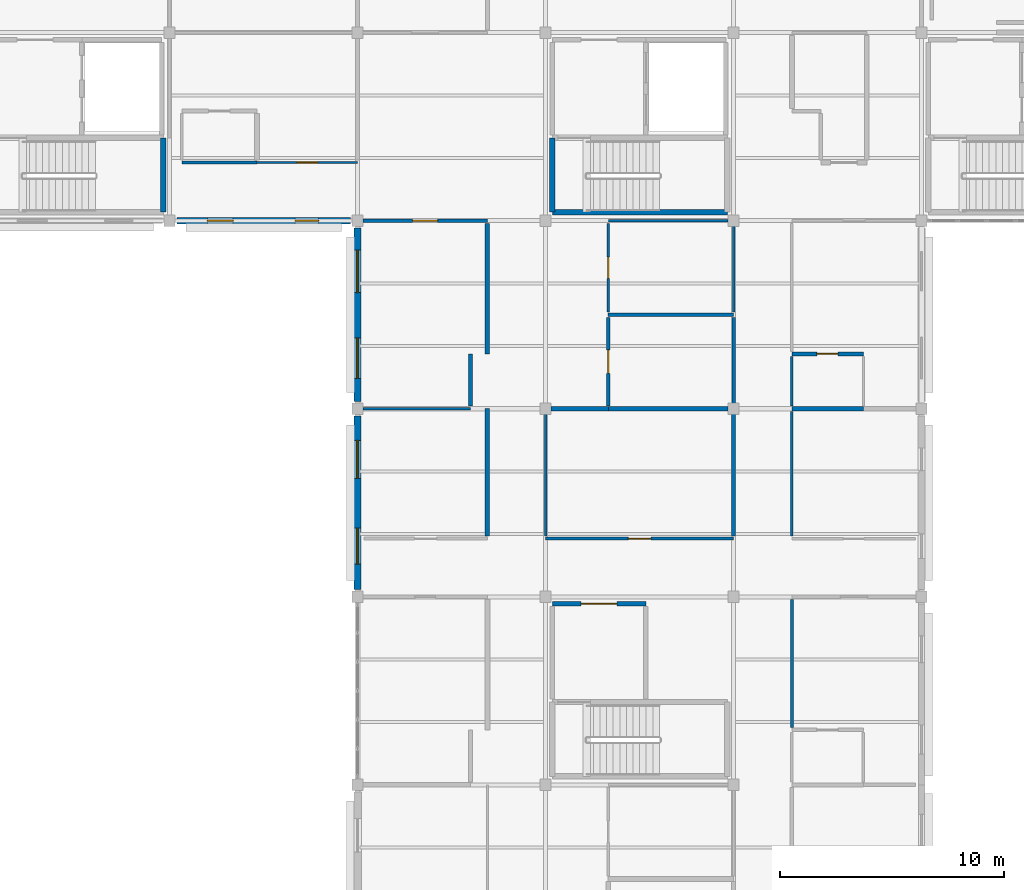
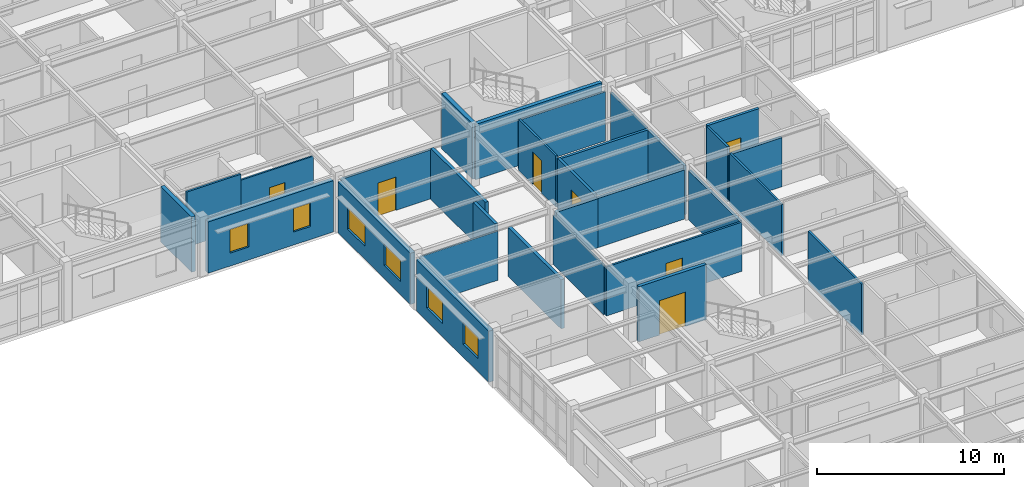
# One storey, part 39 of 53: 30 walls, 7 doors, 6 windows, 13 openings.
"""IFC4 building model written with IfcOpenShell, lengths in metres."""

import ifcopenshell
import ifcopenshell.guid

model = None  # the IFC model being written
_history = None  # IfcOwnerHistory: only IFC2X3 demands one
_inside = {}  # id of a spatial element -> (the spatial element, [elements in it])
_under = {}  # id of a project, library or spatial element -> (it, [spatial elements below it])
_declared = {}  # id of a project -> (the project, [libraries it declares])
_typed = {}  # id of a type object -> (the type object, [elements of that type])
_made_of = {}  # id of a material, layer set ... -> (it, [elements and type objects made of it])


def new_model(schema):
    """Start an empty IFC model of exactly this schema.

    Asked for "IFC4X3", IfcOpenShell would pick the latest addendum, in which some entities
    have other attributes; the version numbers below select the first issue.
    IFC2X3 requires an IfcOwnerHistory on every rooted entity: one is made here for all.
    """
    global model, _history
    if schema == "IFC4X3":
        model = ifcopenshell.file(schema_version=(4, 3, 0, 0))
    else:
        model = ifcopenshell.file(schema=schema)
    _inside.clear()
    _under.clear()
    _declared.clear()
    _typed.clear()
    _made_of.clear()
    _history = None
    if model.schema == "IFC2X3":
        org = make("IfcOrganization", Name="unknown")
        user = make(
            "IfcPersonAndOrganization",
            ThePerson=make("IfcPerson", FamilyName="unknown"),
            TheOrganization=org,
        )
        app = make(
            "IfcApplication",
            ApplicationDeveloper=org,
            Version="unknown",
            ApplicationFullName="unknown",
            ApplicationIdentifier="unknown",
        )
        _history = make(
            "IfcOwnerHistory",
            OwningUser=user,
            OwningApplication=app,
            ChangeAction="ADDED",
            CreationDate=0,
        )
    return model


def make(cls, **values):
    """One entity of the class cls with the attributes given. An attribute that is None is left unset."""
    return model.create_entity(
        cls, **{name: value for name, value in values.items() if value is not None}
    )


def rooted(cls, **values):
    """An entity with a GlobalId (a new one), such as an element, a storey or a relation."""
    return make(cls, GlobalId=ifcopenshell.guid.new(), OwnerHistory=_history, **values)


def si_unit(unit_type, name, prefix=None):
    """IfcSIUnit, for example si_unit("LENGTHUNIT", "METRE", prefix="MILLI")."""
    return make("IfcSIUnit", UnitType=unit_type, Prefix=prefix, Name=name)


def assignment(units):
    """IfcUnitAssignment: the units of a project."""
    return None if units is None else make("IfcUnitAssignment", Units=units)


def point(xyz):
    """IfcCartesianPoint."""
    return None if xyz is None else make("IfcCartesianPoint", Coordinates=xyz)


def direction(xyz):
    """IfcDirection."""
    return None if xyz is None else make("IfcDirection", DirectionRatios=xyz)


def frame(location, z_axis=None, x_axis=None):
    """IfcAxis2Placement3D, a coordinate frame: its origin and axes. An axis left out is left unset."""
    return make(
        "IfcAxis2Placement3D",
        Location=point(location),
        Axis=direction(z_axis),
        RefDirection=direction(x_axis),
    )


def frame_2d(location, x_axis=None):
    """IfcAxis2Placement2D, a coordinate frame in the plane: its origin and x axis."""
    return make(
        "IfcAxis2Placement2D", Location=point(location), RefDirection=direction(x_axis)
    )


def origin():
    """The frame at (0, 0, 0) with its axes left unset."""
    return frame((0.0, 0.0, 0.0))


def place(relative_to, where):
    """IfcLocalPlacement: puts the frame where relative to a parent placement (None: the world)."""
    return make(
        "IfcLocalPlacement", PlacementRelTo=relative_to, RelativePlacement=where
    )


def context(
    kind, dimensions, precision=None, world=None, true_north=None, identifier=None
):
    """IfcGeometricRepresentationContext, for example the 3D "Model" context."""
    return make(
        "IfcGeometricRepresentationContext",
        ContextIdentifier=identifier,
        ContextType=kind,
        CoordinateSpaceDimension=dimensions,
        Precision=precision,
        WorldCoordinateSystem=world,
        TrueNorth=true_north,
    )


def subcontext(parent, identifier, kind, view, scale=None):
    """IfcGeometricRepresentationSubContext, for example "Body" below "Model"."""
    return make(
        "IfcGeometricRepresentationSubContext",
        ContextIdentifier=identifier,
        ContextType=kind,
        ParentContext=parent,
        TargetScale=scale,
        TargetView=view,
    )


def project(units=None, contexts=None):
    """IfcProject with its units and contexts."""
    return rooted(
        "IfcProject",
        Name="project",
        RepresentationContexts=contexts,
        UnitsInContext=assignment(units),
    )


def spatial(cls, under=None, at=None, **own):
    """A site, building, storey or space (cls), placed at a placement, below another one or the project."""
    s = rooted(cls, ObjectPlacement=at, **own)
    if under is not None:
        _under.setdefault(under.id(), (under, []))[1].append(s)
    return s


def profile(cls, at=None, kind="AREA", **sizes):
    """A parametric profile (cls). Its sizes go by their IFC names, for example OverallWidth=200.0."""
    return make(cls, ProfileType=kind, Position=at, **sizes)


def rectangle(**sizes):
    """IfcRectangleProfileDef."""
    return profile("IfcRectangleProfileDef", **sizes)


def extrude(swept, where, along, depth):
    """IfcExtrudedAreaSolid: the profile swept, set in the frame where, extruded along a direction by depth."""
    return make(
        "IfcExtrudedAreaSolid",
        SweptArea=swept,
        Position=where,
        ExtrudedDirection=direction(along),
        Depth=depth,
    )


def shape(context_of_items, identifier, shape_type, items):
    """IfcShapeRepresentation: the items that make up one representation, for example the "Body"."""
    return make(
        "IfcShapeRepresentation",
        ContextOfItems=context_of_items,
        RepresentationIdentifier=identifier,
        RepresentationType=shape_type,
        Items=items,
    )


def material(Name=None, Category=None):
    """IfcMaterial."""
    return make("IfcMaterial", Name=Name, Category=Category)


def layer(
    of_material, thickness, ventilated=None, Name=None, Category=None, Priority=None
):
    """IfcMaterialLayer: one layer of a wall or slab, of a material (None: an air gap)."""
    return make(
        "IfcMaterialLayer",
        Material=of_material,
        LayerThickness=thickness,
        IsVentilated=ventilated,
        Name=Name,
        Category=Category,
        Priority=Priority,
    )


def layer_set(layers, Name=None):
    """IfcMaterialLayerSet."""
    return make("IfcMaterialLayerSet", MaterialLayers=layers, LayerSetName=Name)


def made_of(thing, what):
    """Note that an element or type object is made of a material, layer set ...; save() writes the relation."""
    if what is not None:
        _made_of.setdefault(what.id(), (what, []))[1].append(thing)
    return thing


def type_object(cls, material=None, **own):
    """A type object (cls), such as IfcWallType, which elements share."""
    return made_of(rooted(cls, **own), material)


def element(
    cls,
    number,
    at=None,
    inside=None,
    cuts=None,
    type_object=None,
    material=None,
    context=None,
    identifier="Body",
    shape_type=None,
    held_by="IfcProductDefinitionShape",
    body=None,
    shapes=None,
    **own,
):
    """One element of the class cls, such as IfcWall. Its Tag is "e" and its number.

    at: its placement. inside: the storey or other place that contains it. cuts: it is an
    opening in that element (IfcRelVoidsElement). A single representation is given by context,
    identifier, shape_type and body (its items); several are given by shapes. held_by: the class
    of the entity that holds the representations. save() writes the other relations.
    """
    e = rooted(cls, Tag="e%d" % number, ObjectPlacement=at, **own)
    if body is not None:
        shapes = [shape(context, identifier, shape_type, body)]
    if shapes is not None:
        e.Representation = make(held_by, Representations=shapes)
    if inside is not None:
        _inside.setdefault(inside.id(), (inside, []))[1].append(e)
    if cuts is not None:
        rooted(
            "IfcRelVoidsElement", RelatingBuildingElement=cuts, RelatedOpeningElement=e
        )
    if type_object is not None:
        _typed.setdefault(type_object.id(), (type_object, []))[1].append(e)
    return made_of(e, material)


def fill(opening, filler):
    """IfcRelFillsElement: the door or window that sits in an opening."""
    return rooted(
        "IfcRelFillsElement",
        RelatingOpeningElement=opening,
        RelatedBuildingElement=filler,
    )


def aggregate(whole, parts):
    """IfcRelAggregates: a whole, such as a stair, and the parts it consists of."""
    return rooted("IfcRelAggregates", RelatingObject=whole, RelatedObjects=parts)


def save(model, path):
    """Write the relations noted so far, then the file.

    IfcRelAggregates (storeys below a building ...), IfcRelContainedInSpatialStructure (elements
    in a storey), IfcRelDefinesByType, IfcRelAssociatesMaterial and IfcRelDeclares: one each for
    every whole, place, type object, material and project.
    """
    for whole, parts in _under.values():
        aggregate(whole, parts)
    for where, things in _inside.values():
        rooted(
            "IfcRelContainedInSpatialStructure",
            RelatedElements=things,
            RelatingStructure=where,
        )
    for kind, things in _typed.values():
        rooted("IfcRelDefinesByType", RelatedObjects=things, RelatingType=kind)
    for what, things in _made_of.values():
        rooted("IfcRelAssociatesMaterial", RelatedObjects=things, RelatingMaterial=what)
    for by, libraries in _declared.values():
        rooted("IfcRelDeclares", RelatingContext=by, RelatedDefinitions=libraries)
    model.write(path)


model = new_model("IFC4")

# Units and contexts
model_context = context("Model", 3, precision=1e-05, world=origin(), true_north=direction((0.0, 1.0)))
body_context = subcontext(model_context, "Body", "Model", "MODEL_VIEW")
ifc_project = project(units=[si_unit("LENGTHUNIT", "METRE"), si_unit("AREAUNIT", "SQUARE_METRE"), si_unit("VOLUMEUNIT", "CUBIC_METRE"), si_unit("PLANEANGLEUNIT", "RADIAN"), si_unit("MASSUNIT", "GRAM", prefix="KILO")], contexts=[model_context])

# Site, building, storey
site_placement = place(None, origin())
site = spatial("IfcSite", under=ifc_project, at=site_placement, CompositionType="ELEMENT")
building_placement = place(site_placement, origin())
building = spatial("IfcBuilding", under=site, at=building_placement, Name="Bramfleet General Hospital", CompositionType="ELEMENT")
storey_placement = place(building_placement, frame((0.0, 0.0, 26.39990234375)))
storey = spatial("IfcBuildingStorey", under=building, at=storey_placement, Name="L06", CompositionType="ELEMENT", Elevation=26.39990234375)

# Wall, openings, windows
ifc_material_1 = material(Name="Precast concrete C40/50", Category="concrete")
ifc_layer_1 = layer(ifc_material_1, 0.31494140625, Name="WT-EW-04")
ifc_layer_set_1 = layer_set([ifc_layer_1], Name="Precast concrete C40/50")
wall_type_1 = type_object("IfcWallType", Name="WT-EW-04", PredefinedType="SOLIDWALL", material=ifc_layer_set_1)
wall_1_placement = place(storey_placement, frame((92.39990234375, 75.925048828125, 0.0), z_axis=(0.0, 0.0, 1.0), x_axis=(0.0, 1.0, 0.0)))
wall_1 = element("IfcWall", 1, at=wall_1_placement, inside=storey, type_object=wall_type_1, Name="L06 Exterior Wall 387", PredefinedType="SOLIDWALL", context=body_context, shape_type="SweptSolid", body=[
    extrude(rectangle(XDim=7.75, YDim=0.31494140625, at=frame_2d((3.875, 0.0))), origin(), (0.0, 0.0, 1.0), 3.340087890625),
])
opening_1_placement = place(wall_1_placement, frame((1.137451171875, 0.0, 0.85009765625)))
opening_1 = element("IfcOpeningElement", 2, at=opening_1_placement, cuts=wall_1, Name="Opening W-17", PredefinedType="OPENING", context=body_context, shape_type="SweptSolid", body=[
    extrude(rectangle(XDim=1.60009765625, YDim=1.419921875, at=frame_2d((0.800048828125, 0.7099609375))), frame((0.0, 0.16748046875, 0.0), z_axis=(0.0, -1.0, 0.0), x_axis=(1.0, 0.0, 0.0)), (0.0, 0.0, 1.0), 0.3349609375),
])
opening_2_placement = place(wall_1_placement, frame((4.96240234375, 0.0, 0.85009765625)))
opening_2 = element("IfcOpeningElement", 3, at=opening_2_placement, cuts=wall_1, Name="Opening W-18", PredefinedType="OPENING", context=body_context, shape_type="SweptSolid", body=[
    extrude(rectangle(XDim=1.699951171875, YDim=1.419921875, at=frame_2d((0.85009765625, 0.7099609375))), frame((0.0, 0.16748046875, 0.0), z_axis=(0.0, -1.0, 0.0), x_axis=(1.0, 0.0, 0.0)), (0.0, 0.0, 1.0), 0.3349609375),
])
ifc_material_2 = material(Name="Anodised aluminium and low-E triple glazing", Category="aluminium")
window_type_1 = type_object("IfcWindowType", Name="WIN-W-17", PartitioningType="SINGLE_PANEL", PredefinedType="WINDOW", material=ifc_material_2)
window_1_placement = place(opening_1_placement, origin())
window_1 = element("IfcWindow", 4, at=window_1_placement, inside=storey, type_object=window_type_1, Name="L06 Facade Window WIN-L06-387-1", OverallHeight=1.419921875, OverallWidth=1.60009765625, PartitioningType="SINGLE_PANEL", PredefinedType="WINDOW", context=body_context, shape_type="SweptSolid", body=[
    extrude(rectangle(XDim=1.60009765625, YDim=1.419921875, at=frame_2d((0.800048828125, 0.7099609375))), frame((0.0, 0.030029296875, 0.0), z_axis=(0.0, -1.0, 0.0), x_axis=(1.0, 0.0, 0.0)), (0.0, 0.0, 1.0), 0.06005859375),
])
fill(opening_1, window_1)
window_type_2 = type_object("IfcWindowType", Name="WIN-W-18", PartitioningType="SINGLE_PANEL", PredefinedType="WINDOW", material=ifc_material_2)
window_2_placement = place(opening_2_placement, origin())
window_2 = element("IfcWindow", 5, at=window_2_placement, inside=storey, type_object=window_type_2, Name="L06 Facade Window WIN-L06-387-2", OverallHeight=1.419921875, OverallWidth=1.699951171875, PartitioningType="SINGLE_PANEL", PredefinedType="WINDOW", context=body_context, shape_type="SweptSolid", body=[
    extrude(rectangle(XDim=1.699951171875, YDim=1.419921875, at=frame_2d((0.85009765625, 0.7099609375))), frame((0.0, 0.030029296875, 0.0), z_axis=(0.0, -1.0, 0.0), x_axis=(1.0, 0.0, 0.0)), (0.0, 0.0, 1.0), 0.06005859375),
])
fill(opening_2, window_2)

ifc_layer_2 = layer(ifc_material_1, 0.294921875, Name="WT-EW-05")
ifc_layer_set_2 = layer_set([ifc_layer_2], Name="Precast concrete C40/50")
wall_type_2 = type_object("IfcWallType", Name="WT-EW-05", PredefinedType="SOLIDWALL", material=ifc_layer_set_2)
wall_2_placement = place(storey_placement, frame((92.39990234375, 84.324951171875, 0.0), z_axis=(0.0, 0.0, 1.0), x_axis=(0.0, 1.0, 0.0)))
wall_2 = element("IfcWall", 6, at=wall_2_placement, inside=storey, type_object=wall_type_2, Name="L06 Exterior Wall 388", PredefinedType="SOLIDWALL", context=body_context, shape_type="SweptSolid", body=[
    extrude(rectangle(XDim=7.75, YDim=0.294921875, at=frame_2d((3.875, 0.0))), origin(), (0.0, 0.0, 1.0), 3.340087890625),
])
opening_3_placement = place(wall_2_placement, frame((1.03759765625, 0.0, 0.85009765625)))
opening_3 = element("IfcOpeningElement", 7, at=opening_3_placement, cuts=wall_2, Name="Opening W-19", PredefinedType="OPENING", context=body_context, shape_type="SweptSolid", body=[
    extrude(rectangle(XDim=1.800048828125, YDim=1.419921875, at=frame_2d((0.89990234375, 0.7099609375))), frame((0.0, 0.157470703125, 0.0), z_axis=(0.0, -1.0, 0.0), x_axis=(1.0, 0.0, 0.0)), (0.0, 0.0, 1.0), 0.31494140625),
])
opening_4_placement = place(wall_2_placement, frame((4.862548828125, 0.0, 0.85009765625)))
opening_4 = element("IfcOpeningElement", 8, at=opening_4_placement, cuts=wall_2, Name="Opening W-20", PredefinedType="OPENING", context=body_context, shape_type="SweptSolid", body=[
    extrude(rectangle(XDim=1.89990234375, YDim=1.419921875, at=frame_2d((0.949951171875, 0.7099609375))), frame((0.0, 0.157470703125, 0.0), z_axis=(0.0, -1.0, 0.0), x_axis=(1.0, 0.0, 0.0)), (0.0, 0.0, 1.0), 0.31494140625),
])
window_type_3 = type_object("IfcWindowType", Name="WIN-W-19", PartitioningType="SINGLE_PANEL", PredefinedType="WINDOW", material=ifc_material_2)
window_3_placement = place(opening_3_placement, origin())
window_3 = element("IfcWindow", 9, at=window_3_placement, inside=storey, type_object=window_type_3, Name="L06 Facade Window WIN-L06-388-1", OverallHeight=1.419921875, OverallWidth=1.800048828125, PartitioningType="SINGLE_PANEL", PredefinedType="WINDOW", context=body_context, shape_type="SweptSolid", body=[
    extrude(rectangle(XDim=1.800048828125, YDim=1.419921875, at=frame_2d((0.89990234375, 0.7099609375))), frame((0.0, 0.030029296875, 0.0), z_axis=(0.0, -1.0, 0.0), x_axis=(1.0, 0.0, 0.0)), (0.0, 0.0, 1.0), 0.06005859375),
])
fill(opening_3, window_3)
window_type_4 = type_object("IfcWindowType", Name="WIN-W-20", PartitioningType="SINGLE_PANEL", PredefinedType="WINDOW", material=ifc_material_2)
window_4_placement = place(opening_4_placement, origin())
window_4 = element("IfcWindow", 10, at=window_4_placement, inside=storey, type_object=window_type_4, Name="L06 Facade Window WIN-L06-388-2", OverallHeight=1.419921875, OverallWidth=1.89990234375, PartitioningType="SINGLE_PANEL", PredefinedType="WINDOW", context=body_context, shape_type="SweptSolid", body=[
    extrude(rectangle(XDim=1.89990234375, YDim=1.419921875, at=frame_2d((0.949951171875, 0.7099609375))), frame((0.0, 0.030029296875, 0.0), z_axis=(0.0, -1.0, 0.0), x_axis=(1.0, 0.0, 0.0)), (0.0, 0.0, 1.0), 0.06005859375),
])
fill(opening_4, window_4)

ifc_layer_3 = layer(ifc_material_1, 0.280029296875, Name="WT-EW-06")
ifc_layer_set_3 = layer_set([ifc_layer_3], Name="Precast concrete C40/50")
wall_type_3 = type_object("IfcWallType", Name="WT-EW-06", PredefinedType="SOLIDWALL", material=ifc_layer_set_3)
wall_3_placement = place(storey_placement, frame((92.074951171875, 92.39990234375, 0.0), z_axis=(0.0, 0.0, 1.0), x_axis=(-1.0, 0.0, 0.0)))
wall_3 = element("IfcWall", 11, at=wall_3_placement, inside=storey, type_object=wall_type_3, Name="L06 Exterior Wall 389", PredefinedType="SOLIDWALL", context=body_context, shape_type="SweptSolid", body=[
    extrude(rectangle(XDim=7.75, YDim=0.280029296875, at=frame_2d((3.875, 0.0))), origin(), (0.0, 0.0, 1.0), 3.360107421875),
])
opening_5_placement = place(wall_3_placement, frame((1.41259765625, 0.0, 0.85009765625)))
opening_5 = element("IfcOpeningElement", 12, at=opening_5_placement, cuts=wall_3, Name="Opening W-21", PredefinedType="OPENING", context=body_context, shape_type="SweptSolid", body=[
    extrude(rectangle(XDim=1.050048828125, YDim=1.5400390625, at=frame_2d((0.52490234375, 0.77001953125))), frame((0.0, 0.14990234375, 0.0), z_axis=(0.0, -1.0, 0.0), x_axis=(1.0, 0.0, 0.0)), (0.0, 0.0, 1.0), 0.300048828125),
])
opening_6_placement = place(wall_3_placement, frame((5.237548828125, 0.0, 0.85009765625)))
opening_6 = element("IfcOpeningElement", 13, at=opening_6_placement, cuts=wall_3, Name="Opening W-22", PredefinedType="OPENING", context=body_context, shape_type="SweptSolid", body=[
    extrude(rectangle(XDim=1.14990234375, YDim=1.5400390625, at=frame_2d((0.574951171875, 0.77001953125))), frame((0.0, 0.14990234375, 0.0), z_axis=(0.0, -1.0, 0.0), x_axis=(1.0, 0.0, 0.0)), (0.0, 0.0, 1.0), 0.300048828125),
])
window_type_5 = type_object("IfcWindowType", Name="WIN-W-21", PartitioningType="SINGLE_PANEL", PredefinedType="WINDOW", material=ifc_material_2)
window_5_placement = place(opening_5_placement, origin())
window_5 = element("IfcWindow", 14, at=window_5_placement, inside=storey, type_object=window_type_5, Name="L06 Facade Window WIN-L06-389-1", OverallHeight=1.5400390625, OverallWidth=1.050048828125, PartitioningType="SINGLE_PANEL", PredefinedType="WINDOW", context=body_context, shape_type="SweptSolid", body=[
    extrude(rectangle(XDim=1.050048828125, YDim=1.5400390625, at=frame_2d((0.52490234375, 0.77001953125))), frame((0.0, 0.030029296875, 0.0), z_axis=(0.0, -1.0, 0.0), x_axis=(1.0, 0.0, 0.0)), (0.0, 0.0, 1.0), 0.06005859375),
])
fill(opening_5, window_5)
window_type_6 = type_object("IfcWindowType", Name="WIN-W-22", PartitioningType="SINGLE_PANEL", PredefinedType="WINDOW", material=ifc_material_2)
window_6_placement = place(opening_6_placement, origin())
window_6 = element("IfcWindow", 15, at=window_6_placement, inside=storey, type_object=window_type_6, Name="L06 Facade Window WIN-L06-389-2", OverallHeight=1.5400390625, OverallWidth=1.14990234375, PartitioningType="SINGLE_PANEL", PredefinedType="WINDOW", context=body_context, shape_type="SweptSolid", body=[
    extrude(rectangle(XDim=1.14990234375, YDim=1.5400390625, at=frame_2d((0.574951171875, 0.77001953125))), frame((0.0, 0.030029296875, 0.0), z_axis=(0.0, -1.0, 0.0), x_axis=(1.0, 0.0, 0.0)), (0.0, 0.0, 1.0), 0.06005859375),
])
fill(opening_6, window_6)

# Wall
ifc_material_3 = material(Name="Concrete C35/45", Category="concrete")
ifc_layer_4 = layer(ifc_material_3, 0.219970703125, Name="WT-IW-01")
ifc_layer_set_4 = layer_set([ifc_layer_4], Name="Concrete C35/45")
wall_type_4 = type_object("IfcWallType", Name="WT-IW-01", PredefinedType="PARTITIONING", material=ifc_layer_set_4)
wall_4_placement = place(storey_placement, frame((101.044921875, 84.0, 0.0), z_axis=(0.0, 0.0, 1.0), x_axis=(1.0, 0.0, 0.0)))
element("IfcWall", 16, at=wall_4_placement, inside=storey, type_object=wall_type_4, Name="L06 Interior Partition IW-L06-3913", PredefinedType="PARTITIONING", context=body_context, shape_type="SweptSolid", body=[
    extrude(rectangle(XDim=2.55517578125, YDim=0.219970703125, at=frame_2d((1.277587890625, 0.0))), origin(), (0.0, 0.0, 1.0), 3.210205078125),
])

# Wall, opening, door
ifc_layer_5 = layer(ifc_material_3, 0.205078125, Name="WT-IW-02")
ifc_layer_set_5 = layer_set([ifc_layer_5], Name="Concrete C35/45")
wall_type_5 = type_object("IfcWallType", Name="WT-IW-02", PredefinedType="PARTITIONING", material=ifc_layer_set_5)
wall_5_placement = place(storey_placement, frame((101.10009765625, 75.280029296875, 0.0), z_axis=(0.0, 0.0, 1.0), x_axis=(1.0, 0.0, 0.0)))
wall_5 = element("IfcWall", 17, at=wall_5_placement, inside=storey, type_object=wall_type_5, Name="L06 C11 Lobby North Compartment Wall", PredefinedType="PARTITIONING", context=body_context, shape_type="SweptSolid", body=[
    extrude(rectangle(XDim=4.179931640625, YDim=0.205078125, at=frame_2d((2.08984375, 0.0))), origin(), (0.0, 0.0, 1.0), 3.610107421875),
])
opening_7_placement = place(wall_5_placement, frame((1.2900390625, 0.0, 0.0)))
opening_7 = element("IfcOpeningElement", 18, at=opening_7_placement, cuts=wall_5, Name="Opening D0152", PredefinedType="OPENING", context=body_context, shape_type="SweptSolid", body=[
    extrude(rectangle(XDim=1.60009765625, YDim=2.25, at=frame_2d((0.800048828125, 1.125))), frame((0.0, 0.112548828125, 0.0), z_axis=(0.0, -1.0, 0.0), x_axis=(1.0, 0.0, 0.0)), (0.0, 0.0, 1.0), 0.22509765625),
])
ifc_material_4 = material(Name="Stainless steel and acoustic timber leaf", Category="steel")
door_type_1 = type_object("IfcDoorType", Name="DR-D-04", OperationType="NOTDEFINED", PredefinedType="DOOR", material=ifc_material_4)
door_1_placement = place(opening_7_placement, origin())
door_1 = element("IfcDoor", 19, at=door_1_placement, inside=storey, type_object=door_type_1, Name="L06 C11 Lobby Fire Door D0152", OperationType="DOUBLE_SWING_LEFT", OverallHeight=2.25, OverallWidth=1.60009765625, PredefinedType="DOOR", context=body_context, shape_type="SweptSolid", body=[
    extrude(rectangle(XDim=1.60009765625, YDim=2.25, at=frame_2d((0.800048828125, 1.125))), frame((0.0, 0.02490234375, 0.0), z_axis=(0.0, -1.0, 0.0), x_axis=(1.0, 0.0, 0.0)), (0.0, 0.0, 1.0), 0.050048828125),
])
fill(opening_7, door_1)

# Walls
wall_6_placement = place(storey_placement, frame((103.60009765625, 84.0, 0.0), z_axis=(0.0, 0.0, 1.0), x_axis=(1.0, 0.0, 0.0)))
element("IfcWall", 20, at=wall_6_placement, inside=storey, type_object=wall_type_5, Name="L06 Interior Partition IW-L06-3914", PredefinedType="PARTITIONING", context=body_context, shape_type="SweptSolid", body=[
    extrude(rectangle(XDim=5.35498046875, YDim=0.205078125, at=frame_2d((2.677490234375, 0.0))), origin(), (0.0, 0.0, 1.0), 3.210205078125),
])
wall_7_placement = place(storey_placement, frame((98.199951171875, 78.31494140625, 0.0), z_axis=(0.0, 0.0, 1.0), x_axis=(0.0, 1.0, 0.0)))
element("IfcWall", 21, at=wall_7_placement, inside=storey, type_object=wall_type_5, Name="L06 Interior Partition IW-L06-4022", PredefinedType="PARTITIONING", context=body_context, shape_type="SweptSolid", body=[
    extrude(rectangle(XDim=5.68505859375, YDim=0.205078125, at=frame_2d((2.842529296875, 0.0))), origin(), (0.0, 0.0, 1.0), 3.210205078125),
])
ifc_layer_6 = layer(ifc_material_3, 0.18994140625, Name="WT-IW-03")
ifc_layer_set_6 = layer_set([ifc_layer_6], Name="Concrete C35/45")
wall_type_6 = type_object("IfcWallType", Name="WT-IW-03", PredefinedType="PARTITIONING", material=ifc_layer_set_6)
wall_8_placement = place(storey_placement, frame((111.800048828125, 84.0, 0.0), z_axis=(0.0, 0.0, 1.0), x_axis=(1.0, 0.0, 0.0)))
element("IfcWall", 22, at=wall_8_placement, inside=storey, type_object=wall_type_6, Name="L06 Interior Partition IW-L06-3915", PredefinedType="PARTITIONING", context=body_context, shape_type="SweptSolid", body=[
    extrude(rectangle(XDim=3.199951171875, YDim=0.18994140625, at=frame_2d((1.60009765625, 0.0))), origin(), (0.0, 0.0, 1.0), 3.210205078125),
])
wall_9_placement = place(storey_placement, frame((98.199951171875, 86.449951171875, 0.0), z_axis=(0.0, 0.0, 1.0), x_axis=(0.0, 1.0, 0.0)))
element("IfcWall", 23, at=wall_9_placement, inside=storey, type_object=wall_type_6, Name="L06 Interior Partition IW-L06-4023", PredefinedType="PARTITIONING", context=body_context, shape_type="SweptSolid", body=[
    extrude(rectangle(XDim=5.8349609375, YDim=0.18994140625, at=frame_2d((2.91748046875, 0.0))), origin(), (0.0, 0.0, 1.0), 3.340087890625),
])
ifc_layer_7 = layer(ifc_material_3, 0.179931640625, Name="WT-IW-04")
ifc_layer_set_7 = layer_set([ifc_layer_7], Name="Concrete C35/45")
wall_type_7 = type_object("IfcWallType", Name="WT-IW-04", PredefinedType="PARTITIONING", material=ifc_layer_set_7)
wall_10_placement = place(storey_placement, frame((97.449951171875, 84.114990234375, 0.0), z_axis=(0.0, 0.0, 1.0), x_axis=(0.0, 1.0, 0.0)))
element("IfcWall", 24, at=wall_10_placement, inside=storey, type_object=wall_type_7, Name="L06 Interior Partition IW-L06-4012", PredefinedType="PARTITIONING", context=body_context, shape_type="SweptSolid", body=[
    extrude(rectangle(XDim=2.3349609375, YDim=0.179931640625, at=frame_2d((1.16748046875, 0.0))), origin(), (0.0, 0.0, 1.0), 3.610107421875),
])

# Wall, opening, door
ifc_material_5 = material(Name="Gypsum plasterboard on acoustic steel studs", Category="steel")
ifc_layer_8 = layer(ifc_material_5, 0.169921875, Name="WT-IW-05")
ifc_layer_set_8 = layer_set([ifc_layer_8], Name="Gypsum plasterboard on acoustic steel studs")
wall_type_8 = type_object("IfcWallType", Name="WT-IW-05", PredefinedType="PARTITIONING", material=ifc_layer_set_8)
wall_11_placement = place(storey_placement, frame((111.800048828125, 86.449951171875, 0.0), z_axis=(0.0, 0.0, 1.0), x_axis=(1.0, 0.0, 0.0)))
wall_11 = element("IfcWall", 25, at=wall_11_placement, inside=storey, type_object=wall_type_8, Name="L06 Interior Partition IW-L06-3917", PredefinedType="PARTITIONING", context=body_context, shape_type="SweptSolid", body=[
    extrude(rectangle(XDim=3.199951171875, YDim=0.169921875, at=frame_2d((1.60009765625, 0.0))), origin(), (0.0, 0.0, 1.0), 3.610107421875),
])
opening_8_placement = place(wall_11_placement, frame((1.125, 0.0, 0.0)))
opening_8 = element("IfcOpeningElement", 26, at=opening_8_placement, cuts=wall_11, Name="Opening D1499", PredefinedType="OPENING", context=body_context, shape_type="SweptSolid", body=[
    extrude(rectangle(XDim=0.949951171875, YDim=2.10009765625, at=frame_2d((0.47509765625, 1.050048828125))), frame((0.0, 0.094970703125, 0.0), z_axis=(0.0, -1.0, 0.0), x_axis=(1.0, 0.0, 0.0)), (0.0, 0.0, 1.0), 0.18994140625),
])
door_type_2 = type_object("IfcDoorType", Name="DR-D-10", OperationType="NOTDEFINED", PredefinedType="DOOR", material=ifc_material_4)
door_2_placement = place(opening_8_placement, origin())
door_2 = element("IfcDoor", 27, at=door_2_placement, inside=storey, type_object=door_type_2, Name="En-Suite Bathroom L06-1310 Door D1499", OperationType="SINGLE_SWING_LEFT", OverallHeight=2.10009765625, OverallWidth=0.949951171875, PredefinedType="DOOR", context=body_context, shape_type="SweptSolid", body=[
    extrude(rectangle(XDim=0.949951171875, YDim=2.10009765625, at=frame_2d((0.47509765625, 1.050048828125))), frame((0.0, 0.02490234375, 0.0), z_axis=(0.0, -1.0, 0.0), x_axis=(1.0, 0.0, 0.0)), (0.0, 0.0, 1.0), 0.050048828125),
])
fill(opening_8, door_2)

# Walls
wall_12_placement = place(storey_placement, frame((109.199951171875, 78.31494140625, 0.0), z_axis=(0.0, 0.0, 1.0), x_axis=(0.0, 1.0, 0.0)))
element("IfcWall", 28, at=wall_12_placement, inside=storey, type_object=wall_type_8, Name="L06 Interior Partition IW-L06-4049", PredefinedType="PARTITIONING", context=body_context, shape_type="SweptSolid", body=[
    extrude(rectangle(XDim=5.43994140625, YDim=0.169921875, at=frame_2d((2.719970703125, 0.0))), origin(), (0.0, 0.0, 1.0), 3.210205078125),
])
ifc_layer_9 = layer(ifc_material_5, 0.159912109375, Name="WT-IW-06")
ifc_layer_set_9 = layer_set([ifc_layer_9], Name="Gypsum plasterboard on acoustic steel studs")
wall_type_9 = type_object("IfcWallType", Name="WT-IW-06", PredefinedType="PARTITIONING", material=ifc_layer_set_9)
wall_13_placement = place(storey_placement, frame((103.60009765625, 88.199951171875, 0.0), z_axis=(0.0, 0.0, 1.0), x_axis=(1.0, 0.0, 0.0)))
element("IfcWall", 29, at=wall_13_placement, inside=storey, type_object=wall_type_9, Name="L06 Interior Partition IW-L06-3918", PredefinedType="PARTITIONING", context=body_context, shape_type="SweptSolid", body=[
    extrude(rectangle(XDim=5.599853515625, YDim=0.159912109375, at=frame_2d((2.7998046875, 0.0))), origin(), (0.0, 0.0, 1.0), 3.210205078125),
])

# Wall, opening, door
wall_14_placement = place(storey_placement, frame((103.60009765625, 84.114990234375, 0.0), z_axis=(0.0, 0.0, 1.0), x_axis=(0.0, 1.0, 0.0)))
wall_14 = element("IfcWall", 30, at=wall_14_placement, inside=storey, type_object=wall_type_9, Name="L06 Interior Partition IW-L06-4038", PredefinedType="PARTITIONING", context=body_context, shape_type="SweptSolid", body=[
    extrude(rectangle(XDim=3.969970703125, YDim=0.159912109375, at=frame_2d((1.98486328125, 0.0))), origin(), (0.0, 0.0, 1.0), 3.340087890625),
])
opening_9_placement = place(wall_14_placement, frame((1.4599609375, 0.0, 0.0)))
opening_9 = element("IfcOpeningElement", 31, at=opening_9_placement, cuts=wall_14, Name="Opening D1481", PredefinedType="OPENING", context=body_context, shape_type="SweptSolid", body=[
    extrude(rectangle(XDim=1.050048828125, YDim=2.14990234375, at=frame_2d((0.52490234375, 1.074951171875))), frame((0.0, 0.08984375, 0.0), z_axis=(0.0, -1.0, 0.0), x_axis=(1.0, 0.0, 0.0)), (0.0, 0.0, 1.0), 0.179931640625),
])
door_type_3 = type_object("IfcDoorType", Name="DR-D-09", OperationType="NOTDEFINED", PredefinedType="DOOR", material=ifc_material_4)
door_3_placement = place(opening_9_placement, origin())
door_3 = element("IfcDoor", 32, at=door_3_placement, inside=storey, type_object=door_type_3, Name="Clean Medication and Treatment Room L06-1210 Door D1481", OperationType="SINGLE_SWING_RIGHT", OverallHeight=2.14990234375, OverallWidth=1.050048828125, PredefinedType="DOOR", context=body_context, shape_type="SweptSolid", body=[
    extrude(rectangle(XDim=1.050048828125, YDim=2.14990234375, at=frame_2d((0.52490234375, 1.074951171875))), frame((0.0, 0.02490234375, 0.0), z_axis=(0.0, -1.0, 0.0), x_axis=(1.0, 0.0, 0.0)), (0.0, 0.0, 1.0), 0.050048828125),
])
fill(opening_9, door_3)

# Wall
wall_15_placement = place(storey_placement, frame((109.199951171875, 84.2451171875, 0.0), z_axis=(0.0, 0.0, 1.0), x_axis=(0.0, 1.0, 0.0)))
element("IfcWall", 33, at=wall_15_placement, inside=storey, type_object=wall_type_9, Name="L06 Interior Partition IW-L06-4050", PredefinedType="PARTITIONING", context=body_context, shape_type="SweptSolid", body=[
    extrude(rectangle(XDim=3.83984375, YDim=0.159912109375, at=frame_2d((1.919921875, 0.0))), origin(), (0.0, 0.0, 1.0), 3.210205078125),
])

# Wall, opening, door
ifc_layer_10 = layer(ifc_material_5, 0.14990234375, Name="WT-IW-07")
ifc_layer_set_10 = layer_set([ifc_layer_10], Name="Gypsum plasterboard on acoustic steel studs")
wall_type_10 = type_object("IfcWallType", Name="WT-IW-07", PredefinedType="PARTITIONING", material=ifc_layer_set_10)
wall_16_placement = place(storey_placement, frame((92.64501953125, 92.39990234375, 0.0), z_axis=(0.0, 0.0, 1.0), x_axis=(1.0, 0.0, 0.0)))
wall_16 = element("IfcWall", 34, at=wall_16_placement, inside=storey, type_object=wall_type_10, Name="L06 Interior Partition IW-L06-3919", PredefinedType="PARTITIONING", context=body_context, shape_type="SweptSolid", body=[
    extrude(rectangle(XDim=5.554931640625, YDim=0.14990234375, at=frame_2d((2.77734375, 0.0))), origin(), (0.0, 0.0, 1.0), 3.210205078125),
])
opening_10_placement = place(wall_16_placement, frame((2.217529296875, 0.0, 0.0)))
opening_10 = element("IfcOpeningElement", 35, at=opening_10_placement, cuts=wall_16, Name="Opening D1467", PredefinedType="OPENING", context=body_context, shape_type="SweptSolid", body=[
    extrude(rectangle(XDim=1.1201171875, YDim=2.179931640625, at=frame_2d((0.56005859375, 1.08984375))), frame((0.0, 0.0849609375, 0.0), z_axis=(0.0, -1.0, 0.0), x_axis=(1.0, 0.0, 0.0)), (0.0, 0.0, 1.0), 0.169921875),
])
door_type_4 = type_object("IfcDoorType", Name="DR-D-27", OperationType="NOTDEFINED", PredefinedType="DOOR", material=ifc_material_4)
door_4_placement = place(opening_10_placement, origin())
door_4 = element("IfcDoor", 36, at=door_4_placement, inside=storey, type_object=door_type_4, Name="Oncology and Neurology Ward Bedroom L06-1110 Door D1467", OperationType="SINGLE_SWING_RIGHT", OverallHeight=2.179931640625, OverallWidth=1.1201171875, PredefinedType="DOOR", context=body_context, shape_type="SweptSolid", body=[
    extrude(rectangle(XDim=1.1201171875, YDim=2.179931640625, at=frame_2d((0.56005859375, 1.08984375))), frame((0.0, 0.02490234375, 0.0), z_axis=(0.0, -1.0, 0.0), x_axis=(1.0, 0.0, 0.0)), (0.0, 0.0, 1.0), 0.050048828125),
])
fill(opening_10, door_4)

# Wall
ifc_layer_11 = layer(ifc_material_5, 0.1298828125, Name="WT-IW-09")
ifc_layer_set_11 = layer_set([ifc_layer_11], Name="Gypsum plasterboard on acoustic steel studs")
wall_type_11 = type_object("IfcWallType", Name="WT-IW-09", PredefinedType="PARTITIONING", material=ifc_layer_set_11)
wall_17_placement = place(storey_placement, frame((111.800048828125, 69.764892578125, 0.0), z_axis=(0.0, 0.0, 1.0), x_axis=(0.0, 1.0, 0.0)))
element("IfcWall", 37, at=wall_17_placement, inside=storey, type_object=wall_type_11, Name="L06 Interior Partition IW-L06-4065", PredefinedType="PARTITIONING", context=body_context, shape_type="SweptSolid", body=[
    extrude(rectangle(XDim=5.72021484375, YDim=0.1298828125, at=frame_2d((2.860107421875, 0.0))), origin(), (0.0, 0.0, 1.0), 3.340087890625),
])

# Wall, opening, door
ifc_layer_12 = layer(ifc_material_5, 0.1201171875, Name="WT-IW-10")
ifc_layer_set_12 = layer_set([ifc_layer_12], Name="Gypsum plasterboard on acoustic steel studs")
wall_type_12 = type_object("IfcWallType", Name="WT-IW-10", PredefinedType="PARTITIONING", material=ifc_layer_set_12)
wall_18_placement = place(storey_placement, frame((100.800048828125, 78.199951171875, 0.0), z_axis=(0.0, 0.0, 1.0), x_axis=(1.0, 0.0, 0.0)))
wall_18 = element("IfcWall", 38, at=wall_18_placement, inside=storey, type_object=wall_type_12, Name="L06 Interior Partition IW-L06-3910", PredefinedType="PARTITIONING", context=body_context, shape_type="SweptSolid", body=[
    extrude(rectangle(XDim=8.39990234375, YDim=0.1201171875, at=frame_2d((4.199951171875, 0.0))), origin(), (0.0, 0.0, 1.0), 3.210205078125),
])
opening_11_placement = place(wall_18_placement, frame((3.699951171875, 0.0, 0.0)))
opening_11 = element("IfcOpeningElement", 39, at=opening_11_placement, cuts=wall_18, Name="Opening D1480", PredefinedType="OPENING", context=body_context, shape_type="SweptSolid", body=[
    extrude(rectangle(XDim=1.0, YDim=2.14990234375, at=frame_2d((0.5, 1.074951171875))), frame((0.0, 0.070068359375, 0.0), z_axis=(0.0, -1.0, 0.0), x_axis=(1.0, 0.0, 0.0)), (0.0, 0.0, 1.0), 0.14013671875),
])
door_type_5 = type_object("IfcDoorType", Name="DR-D-08", OperationType="NOTDEFINED", PredefinedType="DOOR", material=ifc_material_4)
door_5_placement = place(opening_11_placement, origin())
door_5 = element("IfcDoor", 40, at=door_5_placement, inside=storey, type_object=door_type_5, Name="Oncology and Neurology Ward Nurse Station L06-1209 Door D1480", OperationType="SINGLE_SWING_LEFT", OverallHeight=2.14990234375, OverallWidth=1.0, PredefinedType="DOOR", context=body_context, shape_type="SweptSolid", body=[
    extrude(rectangle(XDim=1.0, YDim=2.14990234375, at=frame_2d((0.5, 1.074951171875))), frame((0.0, 0.02490234375, 0.0), z_axis=(0.0, -1.0, 0.0), x_axis=(1.0, 0.0, 0.0)), (0.0, 0.0, 1.0), 0.050048828125),
])
fill(opening_11, door_5)

# Walls
wall_19_placement = place(storey_placement, frame((103.60009765625, 92.39990234375, 0.0), z_axis=(0.0, 0.0, 1.0), x_axis=(1.0, 0.0, 0.0)))
element("IfcWall", 41, at=wall_19_placement, inside=storey, type_object=wall_type_12, Name="L06 Interior Partition IW-L06-3920", PredefinedType="PARTITIONING", context=body_context, shape_type="SweptSolid", body=[
    extrude(rectangle(XDim=5.35498046875, YDim=0.1201171875, at=frame_2d((2.677490234375, 0.0))), origin(), (0.0, 0.0, 1.0), 3.210205078125),
])
wall_20_placement = place(storey_placement, frame((84.550048828125, 95.0, 0.0), z_axis=(0.0, 0.0, 1.0), x_axis=(1.0, 0.0, 0.0)))
element("IfcWall", 42, at=wall_20_placement, inside=storey, type_object=wall_type_12, Name="L06 Interior Partition IW-L06-3923", PredefinedType="PARTITIONING", context=body_context, shape_type="SweptSolid", body=[
    extrude(rectangle(XDim=3.349853515625, YDim=0.1201171875, at=frame_2d((1.6748046875, 0.0))), origin(), (0.0, 0.0, 1.0), 3.610107421875),
])

# Wall, opening, door
wall_21_placement = place(storey_placement, frame((103.60009765625, 88.31494140625, 0.0), z_axis=(0.0, 0.0, 1.0), x_axis=(0.0, 1.0, 0.0)))
wall_21 = element("IfcWall", 43, at=wall_21_placement, inside=storey, type_object=wall_type_12, Name="L06 Interior Partition IW-L06-4039", PredefinedType="PARTITIONING", context=body_context, shape_type="SweptSolid", body=[
    extrude(rectangle(XDim=3.969970703125, YDim=0.1201171875, at=frame_2d((1.98486328125, 0.0))), origin(), (0.0, 0.0, 1.0), 3.340087890625),
])
opening_12_placement = place(wall_21_placement, frame((1.510009765625, 0.0, 0.0)))
opening_12 = element("IfcOpeningElement", 44, at=opening_12_placement, cuts=wall_21, Name="Opening D1482", PredefinedType="OPENING", context=body_context, shape_type="SweptSolid", body=[
    extrude(rectangle(XDim=0.949951171875, YDim=2.10009765625, at=frame_2d((0.47509765625, 1.050048828125))), frame((0.0, 0.070068359375, 0.0), z_axis=(0.0, -1.0, 0.0), x_axis=(1.0, 0.0, 0.0)), (0.0, 0.0, 1.0), 0.14013671875),
])
door_6_placement = place(opening_12_placement, origin())
door_6 = element("IfcDoor", 45, at=door_6_placement, inside=storey, type_object=door_type_2, Name="L06 Accessible and Staff WC 1210 Door D1482", OperationType="SINGLE_SWING_LEFT", OverallHeight=2.10009765625, OverallWidth=0.949951171875, PredefinedType="DOOR", context=body_context, shape_type="SweptSolid", body=[
    extrude(rectangle(XDim=0.949951171875, YDim=2.10009765625, at=frame_2d((0.47509765625, 1.050048828125))), frame((0.0, 0.02490234375, 0.0), z_axis=(0.0, -1.0, 0.0), x_axis=(1.0, 0.0, 0.0)), (0.0, 0.0, 1.0), 0.050048828125),
])
fill(opening_12, door_6)

# Walls
wall_22_placement = place(storey_placement, frame((109.199951171875, 88.31494140625, 0.0), z_axis=(0.0, 0.0, 1.0), x_axis=(0.0, 1.0, 0.0)))
element("IfcWall", 46, at=wall_22_placement, inside=storey, type_object=wall_type_12, Name="L06 Interior Partition IW-L06-4051", PredefinedType="PARTITIONING", context=body_context, shape_type="SweptSolid", body=[
    extrude(rectangle(XDim=3.840087890625, YDim=0.1201171875, at=frame_2d((1.919921875, 0.0))), origin(), (0.0, 0.0, 1.0), 3.210205078125),
])
wall_23_placement = place(storey_placement, frame((111.800048828125, 78.31494140625, 0.0), z_axis=(0.0, 0.0, 1.0), x_axis=(0.0, 1.0, 0.0)))
element("IfcWall", 47, at=wall_23_placement, inside=storey, type_object=wall_type_12, Name="L06 Interior Partition IW-L06-4066", PredefinedType="PARTITIONING", context=body_context, shape_type="SweptSolid", body=[
    extrude(rectangle(XDim=5.570068359375, YDim=0.1201171875, at=frame_2d((2.78515625, 0.0))), origin(), (0.0, 0.0, 1.0), 3.340087890625),
])
wall_24_placement = place(storey_placement, frame((111.800048828125, 84.114990234375, 0.0), z_axis=(0.0, 0.0, 1.0), x_axis=(0.0, 1.0, 0.0)))
element("IfcWall", 48, at=wall_24_placement, inside=storey, type_object=wall_type_12, Name="L06 Interior Partition IW-L06-4067", PredefinedType="PARTITIONING", context=body_context, shape_type="SweptSolid", body=[
    extrude(rectangle(XDim=2.219970703125, YDim=0.1201171875, at=frame_2d((1.10986328125, 0.0))), origin(), (0.0, 0.0, 1.0), 3.610107421875),
])
ifc_layer_13 = layer(ifc_material_5, 0.112060546875, Name="WT-IW-11")
ifc_layer_set_13 = layer_set([ifc_layer_13], Name="Gypsum plasterboard on acoustic steel studs")
wall_type_13 = type_object("IfcWallType", Name="WT-IW-11", PredefinedType="PARTITIONING", material=ifc_layer_set_13)
wall_25_placement = place(storey_placement, frame((100.800048828125, 78.31494140625, 0.0), z_axis=(0.0, 0.0, 1.0), x_axis=(0.0, 1.0, 0.0)))
element("IfcWall", 49, at=wall_25_placement, inside=storey, type_object=wall_type_13, Name="L06 Interior Partition IW-L06-4031", PredefinedType="PARTITIONING", context=body_context, shape_type="SweptSolid", body=[
    extrude(rectangle(XDim=5.43994140625, YDim=0.112060546875, at=frame_2d((2.719970703125, 0.0))), origin(), (0.0, 0.0, 1.0), 3.210205078125),
])
ifc_layer_14 = layer(ifc_material_5, 0.10009765625, Name="WT-IW-12")
ifc_layer_set_14 = layer_set([ifc_layer_14], Name="Gypsum plasterboard on acoustic steel studs")
wall_type_14 = type_object("IfcWallType", Name="WT-IW-12", PredefinedType="PARTITIONING", material=ifc_layer_set_14)
wall_26_placement = place(storey_placement, frame((92.64501953125, 84.0, 0.0), z_axis=(0.0, 0.0, 1.0), x_axis=(1.0, 0.0, 0.0)))
element("IfcWall", 50, at=wall_26_placement, inside=storey, type_object=wall_type_14, Name="L06 Interior Partition IW-L06-3912", PredefinedType="PARTITIONING", context=body_context, shape_type="SweptSolid", body=[
    extrude(rectangle(XDim=4.804931640625, YDim=0.10009765625, at=frame_2d((2.40234375, 0.0))), origin(), (0.0, 0.0, 1.0), 3.210205078125),
])

# Wall, opening, door
wall_27_placement = place(storey_placement, frame((87.89990234375, 95.0, 0.0), z_axis=(0.0, 0.0, 1.0), x_axis=(1.0, 0.0, 0.0)))
wall_27 = element("IfcWall", 51, at=wall_27_placement, inside=storey, type_object=wall_type_14, Name="L06 Interior Partition IW-L06-3924", PredefinedType="PARTITIONING", context=body_context, shape_type="SweptSolid", body=[
    extrude(rectangle(XDim=4.5, YDim=0.10009765625, at=frame_2d((2.25, 0.0))), origin(), (0.0, 0.0, 1.0), 3.210205078125),
])
opening_13_placement = place(wall_27_placement, frame((1.77490234375, 0.0, 0.0)))
opening_13 = element("IfcOpeningElement", 52, at=opening_13_placement, cuts=wall_27, Name="Opening D1450", PredefinedType="OPENING", context=body_context, shape_type="SweptSolid", body=[
    extrude(rectangle(XDim=0.949951171875, YDim=2.10009765625, at=frame_2d((0.47509765625, 1.050048828125))), frame((0.0, 0.06005859375, 0.0), z_axis=(0.0, -1.0, 0.0), x_axis=(1.0, 0.0, 0.0)), (0.0, 0.0, 1.0), 0.1201171875),
])
door_7_placement = place(opening_13_placement, origin())
door_7 = element("IfcDoor", 53, at=door_7_placement, inside=storey, type_object=door_type_2, Name="Oncology and Neurology Ward Bedroom L06-1011 Door D1450", OperationType="SINGLE_SWING_LEFT", OverallHeight=2.10009765625, OverallWidth=0.949951171875, PredefinedType="DOOR", context=body_context, shape_type="SweptSolid", body=[
    extrude(rectangle(XDim=0.949951171875, YDim=2.10009765625, at=frame_2d((0.47509765625, 1.050048828125))), frame((0.0, 0.02490234375, 0.0), z_axis=(0.0, -1.0, 0.0), x_axis=(1.0, 0.0, 0.0)), (0.0, 0.0, 1.0), 0.050048828125),
])
fill(opening_13, door_7)

# Walls
ifc_material_6 = material(Name="Concrete C40/50", Category="concrete")
ifc_layer_15 = layer(ifc_material_6, 0.239990234375, Name="WT-SW-240")
ifc_layer_set_15 = layer_set([ifc_layer_15], Name="Concrete C40/50")
wall_type_15 = type_object("IfcWallType", Name="WT-SW-240", PredefinedType="SHEAR", material=ifc_layer_set_15)
wall_28_placement = place(storey_placement, frame((101.10009765625, 92.780029296875, 0.0), z_axis=(0.0, 0.0, 1.0), x_axis=(1.0, 0.0, 0.0)))
element("IfcWall", 54, at=wall_28_placement, inside=storey, type_object=wall_type_15, Name="L06 C4 South Stair Shear Wall", PredefinedType="SHEAR", context=body_context, shape_type="SweptSolid", body=[
    extrude(rectangle(XDim=7.81982421875, YDim=0.239990234375, at=frame_2d((3.909912109375, 0.0))), origin(), (0.0, 0.0, 1.0), 3.6201171875),
])
for number, where, z_axis, x_axis, name in (
    (55, (101.10009765625, 92.780029296875, 0.0), (0.0, 0.0, 1.0), (0.0, 1.0, 0.0), "L06 C4 West Stair Shear Wall"),
    (56, (83.719970703125, 92.780029296875, 0.0), (0.0, 0.0, 1.0), (0.0, 1.0, 0.0), "L06 C5 East Stair Shear Wall"),
):
    element("IfcWall", number, at=place(storey_placement, frame(where, z_axis=z_axis, x_axis=x_axis)), inside=storey, type_object=wall_type_15, Name=name, PredefinedType="SHEAR", context=body_context, shape_type="SweptSolid", body=[
        extrude(rectangle(XDim=3.320068359375, YDim=0.239990234375, at=frame_2d((1.66015625, 0.0))), origin(), (0.0, 0.0, 1.0), 3.6201171875),
    ])

save(model, "model.ifc")
